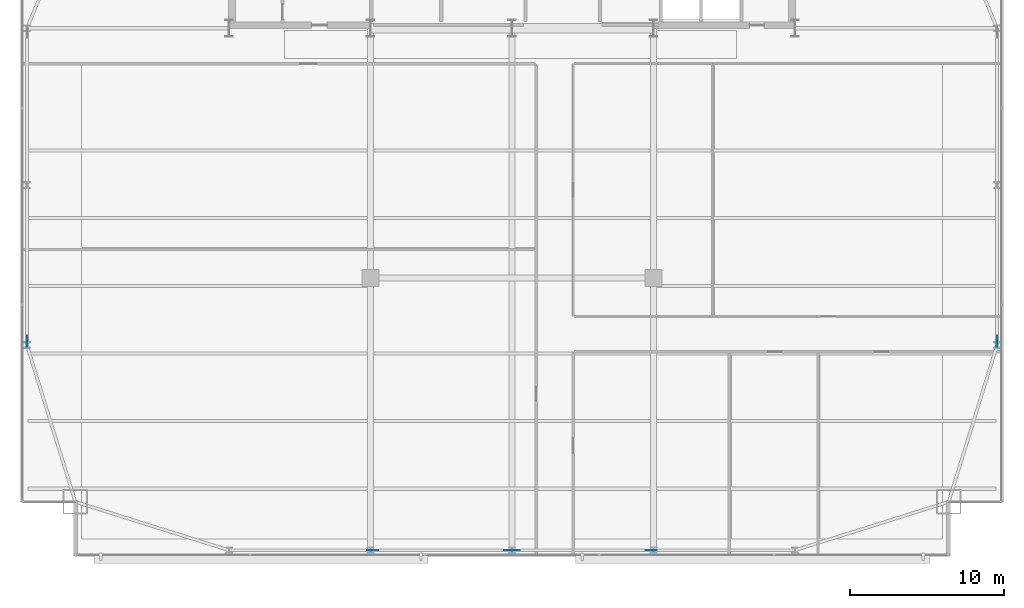
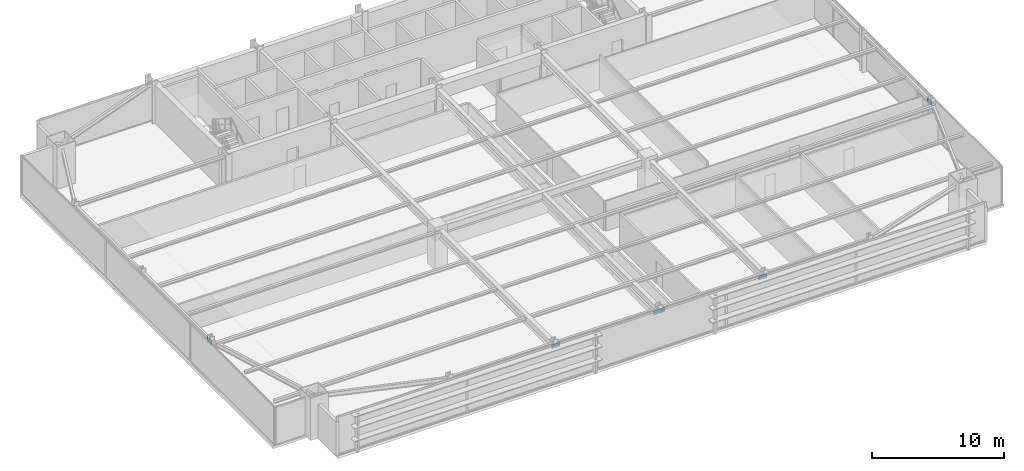
# One storey, part 26 of 32: 6 plates.
"""IFC4 building model written with IfcOpenShell, lengths in metres."""

from ifc_helpers import new_model, si_unit, direction, frame, origin, origin_2d, place, context, subcontext, project, spatial, rectangle, extrude, source, transform, mapped, material, layer, layer_set, type_object, type_shapes, element, save


model = new_model("IFC4")

# Units and contexts
model_context = context("Model", 3, precision=1e-05, world=origin(), true_north=direction((0.0, 1.0)))
body_context = subcontext(model_context, "Body", "Model", "MODEL_VIEW")
ifc_project = project(units=[si_unit("LENGTHUNIT", "METRE"), si_unit("AREAUNIT", "SQUARE_METRE"), si_unit("VOLUMEUNIT", "CUBIC_METRE"), si_unit("PLANEANGLEUNIT", "RADIAN"), si_unit("MASSUNIT", "GRAM", prefix="KILO")], contexts=[model_context])

# Site, building, storey
site_placement = place(None, origin())
site = spatial("IfcSite", under=ifc_project, at=site_placement, CompositionType="ELEMENT")
building_placement = place(site_placement, origin())
building = spatial("IfcBuilding", under=site, at=building_placement, Name="Varnel Quay Broadcast Tower", CompositionType="ELEMENT")
storey_placement = place(building_placement, frame((0.0, 0.0, 78.300048828125)))
storey = spatial("IfcBuildingStorey", under=building, at=storey_placement, Name="L18", CompositionType="ELEMENT", Elevation=78.300048828125)

# Plates
ifc_material = material(Name="Structural Steel CSA G40.21 350WT", Category="steel")
ifc_layer = layer(ifc_material, 0.031982421875, Name="Structural Steel CSA G40.21 350WT")
ifc_layer_set = layer_set([ifc_layer], Name="Structural Steel CSA G40.21 350WT")
plate_type = type_object("IfcPlateType", Name="Plate_EndCap", PredefinedType="USERDEFINED", material=ifc_layer_set)
shared_shape = source(origin(), body_context, "Body", "SweptSolid", [
    extrude(rectangle(XDim=0.719970703125, YDim=0.031982421875, at=origin_2d()), origin(), (0.0, 0.0, 1.0), 0.3798828125),
])
type_shapes(plate_type, [shared_shape])
for number, where, z_axis, x_axis, name in (
    (1, (33.859130859375, 1.64990234375, 3.01708984375), (0.0, 0.0, 1.0), (1.0, 0.0, 0.0), "Zone 1 Mega-Brace S-C1T3 Diag A End Connection Plate P1"),
    (2, (24.94091796875, 1.64990234375, 3.01708984375), (0.0, 0.0, 1.0), (1.0, 0.0, 0.0), "Zone 1 Mega-Brace S-C1T3 Diag B2 End Connection Plate P1"),
    (3, (43.05908203125, 1.64990234375, 3.01708984375), (0.0, 0.0, 1.0), (1.0, 0.0, 0.0), "Zone 1 Mega-Brace S-C2T3 Diag A End Connection Plate P1"),
    (4, (34.140869140625, 1.64990234375, 3.01708984375), (0.0, 0.0, 1.0), (1.0, 0.0, 0.0), "Zone 1 Mega-Brace S-C2T3 Diag B2 End Connection Plate P1"),
    (5, (2.449951171875, 15.25341796875, 3.086669921875), (0.0, 0.0, 1.0), (0.0, 1.0, 0.0), "Zone 1 Mega-Brace W-FT3 Diag B2 End Connection Plate P1"),
    (6, (65.550048828125, 15.25341796875, 3.086669921875), (0.0, 0.0, 1.0), (0.0, 1.0, 0.0), "Zone 1 Mega-Brace E-FT3 Diag B2 End Connection Plate P1"),
):
    element("IfcPlate", number, at=place(storey_placement, frame(where, z_axis=z_axis, x_axis=x_axis)), inside=storey, type_object=plate_type, Name=name, ObjectType="CAP_PLATE", PredefinedType="USERDEFINED", context=body_context, shape_type="MappedRepresentation", body=[
        mapped(shared_shape, transform((0.0, 0.0, 0.0), x_axis=(1.0, 0.0, 0.0), y_axis=(0.0, 1.0, 0.0), z_axis=(0.0, 0.0, 1.0), scale=1.0)),
    ])

save(model, "model.ifc")
